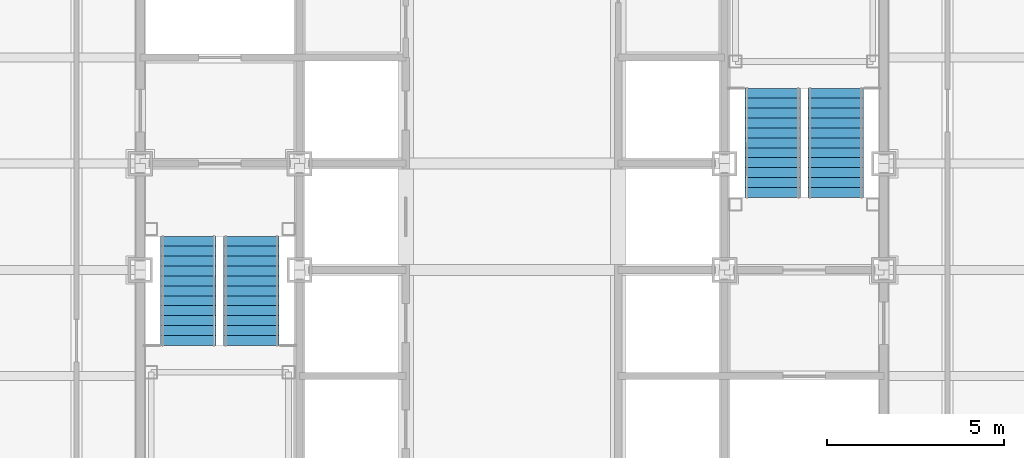
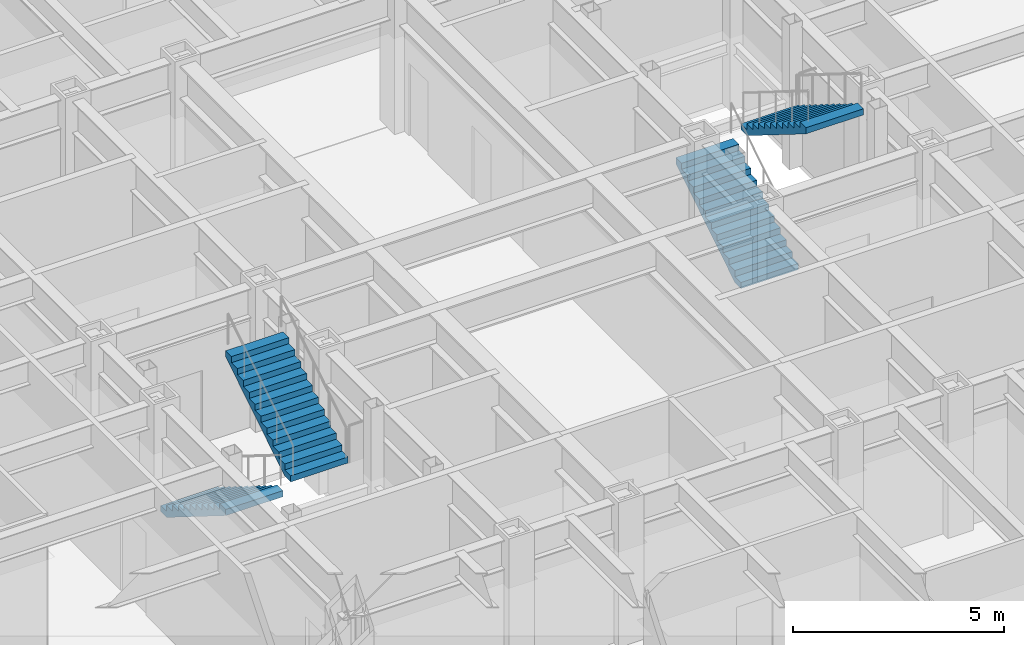
# One storey, part 13 of 16: 4 stair flights, 2 elements without a shape of their own.
"""IFC4 building model written with IfcOpenShell, lengths in metres."""

from ifc_helpers import new_model, si_unit, direction, frame, origin, place, context, subcontext, project, spatial, faceted_brep, material, type_object, element, aggregate, save


model = new_model("IFC4")

# Units and contexts
model_context = context("Model", 3, precision=1e-05, world=origin(), true_north=direction((0.0, 1.0)))
body_context = subcontext(model_context, "Body", "Model", "MODEL_VIEW")
ifc_project = project(units=[si_unit("LENGTHUNIT", "METRE"), si_unit("AREAUNIT", "SQUARE_METRE"), si_unit("VOLUMEUNIT", "CUBIC_METRE"), si_unit("PLANEANGLEUNIT", "RADIAN"), si_unit("MASSUNIT", "GRAM", prefix="KILO")], contexts=[model_context])

# Site, building, storey
site_placement = place(None, origin())
site = spatial("IfcSite", under=ifc_project, at=site_placement, CompositionType="ELEMENT")
building_placement = place(site_placement, origin())
building = spatial("IfcBuilding", under=site, at=building_placement, Name="Chuquiago Exchange Tower", CompositionType="ELEMENT")
storey_placement = place(building_placement, frame((0.0, 0.0, 127.800048828125)))
storey = spatial("IfcBuildingStorey", under=building, at=storey_placement, Name="L27", CompositionType="ELEMENT", Elevation=127.800048828125)

# Stair, stair flights
ifc_material_1 = material(Name="Concrete C30/37, precast", Category="concrete")
stair_type_1 = type_object("IfcStairType", Name="ST1 half-turn stair 4200", PredefinedType="HALF_TURN_STAIR", material=ifc_material_1)
stair_1_placement = place(storey_placement, origin())
stair_1 = element("IfcStair", 1, at=stair_1_placement, inside=storey, type_object=stair_type_1, Name="Stair ST1 L27", PredefinedType="HALF_TURN_STAIR")
ifc_material_2 = material(Name="Concrete C30/37, precast", Category="concrete")
stair_flight_type = type_object("IfcStairFlightType", Name="ST-F flight 1570 for 4200 storey", PredefinedType="STRAIGHT", material=ifc_material_2)
stair_flight_1_placement = place(storey_placement, frame((13.360107421875, 21.949951171875, 0.0), z_axis=(0.0, 0.0, 1.0), x_axis=(0.0, -1.0, 0.0)))
stair_flight_1 = element("IfcStairFlight", 2, at=stair_flight_1_placement, type_object=stair_flight_type, Name="ST1 flight 1", NumberOfRisers=12, NumberOfTreads=11, PredefinedType="STRAIGHT", RiserHeight=0.175, TreadLength=0.28, context=body_context, shape_type="Brep", body=[
    faceted_brep([(0.0, 0.78515625, 0.0), (0.0, 0.78515625, 0.175048828125), (0.280029296875, 0.78515625, 0.175048828125), (0.280029296875, 0.78515625, 0.35009765625), (0.56005859375, 0.78515625, 0.35009765625), (0.56005859375, 0.78515625, 0.52490234375), (0.840087890625, 0.78515625, 0.52490234375), (0.840087890625, 0.78515625, 0.699951171875), (1.1201171875, 0.78515625, 0.699951171875), (1.1201171875, 0.78515625, 0.875), (1.39990234375, 0.78515625, 0.875), (1.39990234375, 0.78515625, 1.050048828125), (1.679931640625, 0.78515625, 1.050048828125), (1.679931640625, 0.78515625, 1.22509765625), (1.9599609375, 0.78515625, 1.22509765625), (1.9599609375, 0.78515625, 1.39990234375), (2.239990234375, 0.78515625, 1.39990234375), (2.239990234375, 0.78515625, 1.574951171875), (2.52001953125, 0.78515625, 1.574951171875), (2.52001953125, 0.78515625, 1.75), (2.800048828125, 0.78515625, 1.75), (2.800048828125, 0.78515625, 1.925048828125), (3.080078125, 0.78515625, 1.925048828125), (3.080078125, 0.78515625, 1.748291015625), (0.28271484375, 0.78515625, 0.0), (0.28271484375, -0.78515625, 0.0), (3.080078125, -0.78515625, 1.748291015625), (3.080078125, -0.78515625, 1.925048828125), (2.800048828125, -0.78515625, 1.925048828125), (2.800048828125, -0.78515625, 1.75), (2.52001953125, -0.78515625, 1.75), (2.52001953125, -0.78515625, 1.574951171875), (2.239990234375, -0.78515625, 1.574951171875), (2.239990234375, -0.78515625, 1.39990234375), (1.9599609375, -0.78515625, 1.39990234375), (1.9599609375, -0.78515625, 1.22509765625), (1.679931640625, -0.78515625, 1.22509765625), (1.679931640625, -0.78515625, 1.050048828125), (1.39990234375, -0.78515625, 1.050048828125), (1.39990234375, -0.78515625, 0.875), (1.1201171875, -0.78515625, 0.875), (1.1201171875, -0.78515625, 0.699951171875), (0.840087890625, -0.78515625, 0.699951171875), (0.840087890625, -0.78515625, 0.52490234375), (0.56005859375, -0.78515625, 0.52490234375), (0.56005859375, -0.78515625, 0.35009765625), (0.280029296875, -0.78515625, 0.35009765625), (0.280029296875, -0.78515625, 0.175048828125), (0.0, -0.78515625, 0.175048828125), (0.0, -0.78515625, 0.0), (0.0, 0.392578125, 0.0), (0.0, 0.392578125, 0.175048828125), (0.0, 0.0, 0.0), (0.0, 0.0, 0.175048828125), (0.0, -0.392578125, 0.0), (0.0, -0.392578125, 0.175048828125), (0.280029296875, 0.392578125, 0.175048828125), (0.280029296875, 0.0, 0.175048828125), (0.280029296875, -0.392578125, 0.175048828125), (0.280029296875, 0.392578125, 0.35009765625), (0.280029296875, 0.0, 0.35009765625), (0.280029296875, -0.392578125, 0.35009765625), (0.56005859375, 0.392578125, 0.35009765625), (0.56005859375, 0.0, 0.35009765625), (0.56005859375, -0.392578125, 0.35009765625), (0.56005859375, 0.392578125, 0.52490234375), (0.56005859375, 0.0, 0.52490234375), (0.56005859375, -0.392578125, 0.52490234375), (0.840087890625, 0.392578125, 0.52490234375), (0.840087890625, 0.0, 0.52490234375), (0.840087890625, -0.392578125, 0.52490234375), (0.840087890625, 0.392578125, 0.699951171875), (0.840087890625, 0.0, 0.699951171875), (0.840087890625, -0.392578125, 0.699951171875), (1.1201171875, 0.392578125, 0.699951171875), (1.1201171875, 0.0, 0.699951171875), (1.1201171875, -0.392578125, 0.699951171875), (1.1201171875, 0.392578125, 0.875), (1.1201171875, 0.0, 0.875), (1.1201171875, -0.392578125, 0.875), (1.39990234375, 0.392578125, 0.875), (1.39990234375, 0.0, 0.875), (1.39990234375, -0.392578125, 0.875), (1.39990234375, 0.392578125, 1.050048828125), (1.39990234375, 0.0, 1.050048828125), (1.39990234375, -0.392578125, 1.050048828125), (1.679931640625, 0.392578125, 1.050048828125), (1.679931640625, 0.0, 1.050048828125), (1.679931640625, -0.392578125, 1.050048828125), (1.679931640625, 0.392578125, 1.22509765625), (1.679931640625, 0.0, 1.22509765625), (1.679931640625, -0.392578125, 1.22509765625), (1.9599609375, 0.392578125, 1.22509765625), (1.9599609375, 0.0, 1.22509765625), (1.9599609375, -0.392578125, 1.22509765625), (1.9599609375, 0.392578125, 1.39990234375), (1.9599609375, 0.0, 1.39990234375), (1.9599609375, -0.392578125, 1.39990234375), (2.239990234375, 0.392578125, 1.39990234375), (2.239990234375, 0.0, 1.39990234375), (2.239990234375, -0.392578125, 1.39990234375), (2.239990234375, 0.392578125, 1.574951171875), (2.239990234375, 0.0, 1.574951171875), (2.239990234375, -0.392578125, 1.574951171875), (2.52001953125, 0.392578125, 1.574951171875), (2.52001953125, 0.0, 1.574951171875), (2.52001953125, -0.392578125, 1.574951171875), (2.52001953125, 0.392578125, 1.75), (2.52001953125, 0.0, 1.75), (2.52001953125, -0.392578125, 1.75), (2.800048828125, 0.392578125, 1.75), (2.800048828125, 0.0, 1.75), (2.800048828125, -0.392578125, 1.75), (2.800048828125, 0.392578125, 1.925048828125), (2.800048828125, 0.0, 1.925048828125), (2.800048828125, -0.392578125, 1.925048828125), (3.080078125, 0.392578125, 1.925048828125), (3.080078125, 0.0, 1.925048828125), (3.080078125, -0.392578125, 1.925048828125), (3.080078125, 0.392578125, 1.748291015625), (3.080078125, 0.0, 1.748291015625), (3.080078125, -0.392578125, 1.748291015625), (0.28271484375, 0.392578125, 0.0), (0.28271484375, 0.0, 0.0), (0.28271484375, -0.392578125, 0.0)], [[[0, 1, 2, 3, 4, 5, 6, 7, 8, 9, 10, 11, 12, 13, 14, 15, 16, 17, 18, 19, 20, 21, 22, 23, 24]], [[25, 26, 27, 28, 29, 30, 31, 32, 33, 34, 35, 36, 37, 38, 39, 40, 41, 42, 43, 44, 45, 46, 47, 48, 49]], [[1, 0, 50, 51]], [[51, 50, 52, 53]], [[53, 52, 54, 55]], [[55, 54, 49, 48]], [[2, 1, 51, 56]], [[56, 51, 53, 57]], [[57, 53, 55, 58]], [[58, 55, 48, 47]], [[3, 2, 56, 59]], [[59, 56, 57, 60]], [[60, 57, 58, 61]], [[61, 58, 47, 46]], [[4, 3, 59, 62]], [[62, 59, 60, 63]], [[63, 60, 61, 64]], [[64, 61, 46, 45]], [[5, 4, 62, 65]], [[65, 62, 63, 66]], [[66, 63, 64, 67]], [[67, 64, 45, 44]], [[6, 5, 65, 68]], [[68, 65, 66, 69]], [[69, 66, 67, 70]], [[70, 67, 44, 43]], [[7, 6, 68, 71]], [[71, 68, 69, 72]], [[72, 69, 70, 73]], [[73, 70, 43, 42]], [[8, 7, 71, 74]], [[74, 71, 72, 75]], [[75, 72, 73, 76]], [[76, 73, 42, 41]], [[9, 8, 74, 77]], [[77, 74, 75, 78]], [[78, 75, 76, 79]], [[79, 76, 41, 40]], [[10, 9, 77, 80]], [[80, 77, 78, 81]], [[81, 78, 79, 82]], [[82, 79, 40, 39]], [[11, 10, 80, 83]], [[83, 80, 81, 84]], [[84, 81, 82, 85]], [[85, 82, 39, 38]], [[12, 11, 83, 86]], [[86, 83, 84, 87]], [[87, 84, 85, 88]], [[88, 85, 38, 37]], [[13, 12, 86, 89]], [[89, 86, 87, 90]], [[90, 87, 88, 91]], [[91, 88, 37, 36]], [[14, 13, 89, 92]], [[92, 89, 90, 93]], [[93, 90, 91, 94]], [[94, 91, 36, 35]], [[15, 14, 92, 95]], [[95, 92, 93, 96]], [[96, 93, 94, 97]], [[97, 94, 35, 34]], [[16, 15, 95, 98]], [[98, 95, 96, 99]], [[99, 96, 97, 100]], [[100, 97, 34, 33]], [[17, 16, 98, 101]], [[101, 98, 99, 102]], [[102, 99, 100, 103]], [[103, 100, 33, 32]], [[18, 17, 101, 104]], [[104, 101, 102, 105]], [[105, 102, 103, 106]], [[106, 103, 32, 31]], [[19, 18, 104, 107]], [[107, 104, 105, 108]], [[108, 105, 106, 109]], [[109, 106, 31, 30]], [[20, 19, 107, 110]], [[110, 107, 108, 111]], [[111, 108, 109, 112]], [[112, 109, 30, 29]], [[21, 20, 110, 113]], [[113, 110, 111, 114]], [[114, 111, 112, 115]], [[115, 112, 29, 28]], [[22, 21, 113, 116]], [[116, 113, 114, 117]], [[117, 114, 115, 118]], [[118, 115, 28, 27]], [[23, 22, 116, 119]], [[119, 116, 117, 120]], [[120, 117, 118, 121]], [[121, 118, 27, 26]], [[24, 23, 119, 122]], [[122, 119, 120, 123]], [[123, 120, 121, 124]], [[124, 121, 26, 25]], [[0, 24, 122, 50]], [[50, 122, 123, 52]], [[52, 123, 124, 54]], [[54, 124, 25, 49]]]),
])
stair_flight_2_placement = place(storey_placement, frame((15.139892578125, 18.8701171875, 2.099853515625), z_axis=(0.0, 0.0, 1.0), x_axis=(0.0, 1.0, 0.0)))
stair_flight_2 = element("IfcStairFlight", 3, at=stair_flight_2_placement, type_object=stair_flight_type, Name="ST1 flight 2", NumberOfRisers=12, NumberOfTreads=11, PredefinedType="STRAIGHT", RiserHeight=0.175, TreadLength=0.28, context=body_context, shape_type="Brep", body=[
    faceted_brep([(0.0, 0.78515625, 0.0), (0.0, 0.78515625, 0.175048828125), (0.280029296875, 0.78515625, 0.175048828125), (0.280029296875, 0.78515625, 0.35009765625), (0.56005859375, 0.78515625, 0.35009765625), (0.56005859375, 0.78515625, 0.52490234375), (0.840087890625, 0.78515625, 0.52490234375), (0.840087890625, 0.78515625, 0.699951171875), (1.1201171875, 0.78515625, 0.699951171875), (1.1201171875, 0.78515625, 0.875), (1.39990234375, 0.78515625, 0.875), (1.39990234375, 0.78515625, 1.050048828125), (1.679931640625, 0.78515625, 1.050048828125), (1.679931640625, 0.78515625, 1.22509765625), (1.9599609375, 0.78515625, 1.22509765625), (1.9599609375, 0.78515625, 1.39990234375), (2.239990234375, 0.78515625, 1.39990234375), (2.239990234375, 0.78515625, 1.574951171875), (2.52001953125, 0.78515625, 1.574951171875), (2.52001953125, 0.78515625, 1.75), (2.800048828125, 0.78515625, 1.75), (2.800048828125, 0.78515625, 1.925048828125), (3.080078125, 0.78515625, 1.925048828125), (3.080078125, 0.78515625, 1.748291015625), (0.28271484375, 0.78515625, 0.0), (0.28271484375, -0.78515625, 0.0), (3.080078125, -0.78515625, 1.748291015625), (3.080078125, -0.78515625, 1.925048828125), (2.800048828125, -0.78515625, 1.925048828125), (2.800048828125, -0.78515625, 1.75), (2.52001953125, -0.78515625, 1.75), (2.52001953125, -0.78515625, 1.574951171875), (2.239990234375, -0.78515625, 1.574951171875), (2.239990234375, -0.78515625, 1.39990234375), (1.9599609375, -0.78515625, 1.39990234375), (1.9599609375, -0.78515625, 1.22509765625), (1.679931640625, -0.78515625, 1.22509765625), (1.679931640625, -0.78515625, 1.050048828125), (1.39990234375, -0.78515625, 1.050048828125), (1.39990234375, -0.78515625, 0.875), (1.1201171875, -0.78515625, 0.875), (1.1201171875, -0.78515625, 0.699951171875), (0.840087890625, -0.78515625, 0.699951171875), (0.840087890625, -0.78515625, 0.52490234375), (0.56005859375, -0.78515625, 0.52490234375), (0.56005859375, -0.78515625, 0.35009765625), (0.280029296875, -0.78515625, 0.35009765625), (0.280029296875, -0.78515625, 0.175048828125), (0.0, -0.78515625, 0.175048828125), (0.0, -0.78515625, 0.0), (0.0, 0.392578125, 0.0), (0.0, 0.392578125, 0.175048828125), (0.0, 0.0, 0.0), (0.0, 0.0, 0.175048828125), (0.0, -0.392578125, 0.0), (0.0, -0.392578125, 0.175048828125), (0.280029296875, 0.392578125, 0.175048828125), (0.280029296875, 0.0, 0.175048828125), (0.280029296875, -0.392578125, 0.175048828125), (0.280029296875, 0.392578125, 0.35009765625), (0.280029296875, 0.0, 0.35009765625), (0.280029296875, -0.392578125, 0.35009765625), (0.56005859375, 0.392578125, 0.35009765625), (0.56005859375, 0.0, 0.35009765625), (0.56005859375, -0.392578125, 0.35009765625), (0.56005859375, 0.392578125, 0.52490234375), (0.56005859375, 0.0, 0.52490234375), (0.56005859375, -0.392578125, 0.52490234375), (0.840087890625, 0.392578125, 0.52490234375), (0.840087890625, 0.0, 0.52490234375), (0.840087890625, -0.392578125, 0.52490234375), (0.840087890625, 0.392578125, 0.699951171875), (0.840087890625, 0.0, 0.699951171875), (0.840087890625, -0.392578125, 0.699951171875), (1.1201171875, 0.392578125, 0.699951171875), (1.1201171875, 0.0, 0.699951171875), (1.1201171875, -0.392578125, 0.699951171875), (1.1201171875, 0.392578125, 0.875), (1.1201171875, 0.0, 0.875), (1.1201171875, -0.392578125, 0.875), (1.39990234375, 0.392578125, 0.875), (1.39990234375, 0.0, 0.875), (1.39990234375, -0.392578125, 0.875), (1.39990234375, 0.392578125, 1.050048828125), (1.39990234375, 0.0, 1.050048828125), (1.39990234375, -0.392578125, 1.050048828125), (1.679931640625, 0.392578125, 1.050048828125), (1.679931640625, 0.0, 1.050048828125), (1.679931640625, -0.392578125, 1.050048828125), (1.679931640625, 0.392578125, 1.22509765625), (1.679931640625, 0.0, 1.22509765625), (1.679931640625, -0.392578125, 1.22509765625), (1.9599609375, 0.392578125, 1.22509765625), (1.9599609375, 0.0, 1.22509765625), (1.9599609375, -0.392578125, 1.22509765625), (1.9599609375, 0.392578125, 1.39990234375), (1.9599609375, 0.0, 1.39990234375), (1.9599609375, -0.392578125, 1.39990234375), (2.239990234375, 0.392578125, 1.39990234375), (2.239990234375, 0.0, 1.39990234375), (2.239990234375, -0.392578125, 1.39990234375), (2.239990234375, 0.392578125, 1.574951171875), (2.239990234375, 0.0, 1.574951171875), (2.239990234375, -0.392578125, 1.574951171875), (2.52001953125, 0.392578125, 1.574951171875), (2.52001953125, 0.0, 1.574951171875), (2.52001953125, -0.392578125, 1.574951171875), (2.52001953125, 0.392578125, 1.75), (2.52001953125, 0.0, 1.75), (2.52001953125, -0.392578125, 1.75), (2.800048828125, 0.392578125, 1.75), (2.800048828125, 0.0, 1.75), (2.800048828125, -0.392578125, 1.75), (2.800048828125, 0.392578125, 1.925048828125), (2.800048828125, 0.0, 1.925048828125), (2.800048828125, -0.392578125, 1.925048828125), (3.080078125, 0.392578125, 1.925048828125), (3.080078125, 0.0, 1.925048828125), (3.080078125, -0.392578125, 1.925048828125), (3.080078125, 0.392578125, 1.748291015625), (3.080078125, 0.0, 1.748291015625), (3.080078125, -0.392578125, 1.748291015625), (0.28271484375, 0.392578125, 0.0), (0.28271484375, 0.0, 0.0), (0.28271484375, -0.392578125, 0.0)], [[[0, 1, 2, 3, 4, 5, 6, 7, 8, 9, 10, 11, 12, 13, 14, 15, 16, 17, 18, 19, 20, 21, 22, 23, 24]], [[25, 26, 27, 28, 29, 30, 31, 32, 33, 34, 35, 36, 37, 38, 39, 40, 41, 42, 43, 44, 45, 46, 47, 48, 49]], [[1, 0, 50, 51]], [[51, 50, 52, 53]], [[53, 52, 54, 55]], [[55, 54, 49, 48]], [[2, 1, 51, 56]], [[56, 51, 53, 57]], [[57, 53, 55, 58]], [[58, 55, 48, 47]], [[3, 2, 56, 59]], [[59, 56, 57, 60]], [[60, 57, 58, 61]], [[61, 58, 47, 46]], [[4, 3, 59, 62]], [[62, 59, 60, 63]], [[63, 60, 61, 64]], [[64, 61, 46, 45]], [[5, 4, 62, 65]], [[65, 62, 63, 66]], [[66, 63, 64, 67]], [[67, 64, 45, 44]], [[6, 5, 65, 68]], [[68, 65, 66, 69]], [[69, 66, 67, 70]], [[70, 67, 44, 43]], [[7, 6, 68, 71]], [[71, 68, 69, 72]], [[72, 69, 70, 73]], [[73, 70, 43, 42]], [[8, 7, 71, 74]], [[74, 71, 72, 75]], [[75, 72, 73, 76]], [[76, 73, 42, 41]], [[9, 8, 74, 77]], [[77, 74, 75, 78]], [[78, 75, 76, 79]], [[79, 76, 41, 40]], [[10, 9, 77, 80]], [[80, 77, 78, 81]], [[81, 78, 79, 82]], [[82, 79, 40, 39]], [[11, 10, 80, 83]], [[83, 80, 81, 84]], [[84, 81, 82, 85]], [[85, 82, 39, 38]], [[12, 11, 83, 86]], [[86, 83, 84, 87]], [[87, 84, 85, 88]], [[88, 85, 38, 37]], [[13, 12, 86, 89]], [[89, 86, 87, 90]], [[90, 87, 88, 91]], [[91, 88, 37, 36]], [[14, 13, 89, 92]], [[92, 89, 90, 93]], [[93, 90, 91, 94]], [[94, 91, 36, 35]], [[15, 14, 92, 95]], [[95, 92, 93, 96]], [[96, 93, 94, 97]], [[97, 94, 35, 34]], [[16, 15, 95, 98]], [[98, 95, 96, 99]], [[99, 96, 97, 100]], [[100, 97, 34, 33]], [[17, 16, 98, 101]], [[101, 98, 99, 102]], [[102, 99, 100, 103]], [[103, 100, 33, 32]], [[18, 17, 101, 104]], [[104, 101, 102, 105]], [[105, 102, 103, 106]], [[106, 103, 32, 31]], [[19, 18, 104, 107]], [[107, 104, 105, 108]], [[108, 105, 106, 109]], [[109, 106, 31, 30]], [[20, 19, 107, 110]], [[110, 107, 108, 111]], [[111, 108, 109, 112]], [[112, 109, 30, 29]], [[21, 20, 110, 113]], [[113, 110, 111, 114]], [[114, 111, 112, 115]], [[115, 112, 29, 28]], [[22, 21, 113, 116]], [[116, 113, 114, 117]], [[117, 114, 115, 118]], [[118, 115, 28, 27]], [[23, 22, 116, 119]], [[119, 116, 117, 120]], [[120, 117, 118, 121]], [[121, 118, 27, 26]], [[24, 23, 119, 122]], [[122, 119, 120, 123]], [[123, 120, 121, 124]], [[124, 121, 26, 25]], [[0, 24, 122, 50]], [[50, 122, 123, 52]], [[52, 123, 124, 54]], [[54, 124, 25, 49]]]),
])
aggregate(stair_1, [stair_flight_1, stair_flight_2])

ifc_material_3 = material(Name="Concrete C30/37, precast", Category="concrete")
stair_type_2 = type_object("IfcStairType", Name="ST2 half-turn stair 4200", PredefinedType="HALF_TURN_STAIR", material=ifc_material_3)
stair_2_placement = place(storey_placement, origin())
stair_2 = element("IfcStair", 4, at=stair_2_placement, inside=storey, type_object=stair_type_2, Name="Stair ST2 L27", PredefinedType="HALF_TURN_STAIR")
stair_flight_3_placement = place(storey_placement, frame((29.860107421875, 23.050048828125, 0.0), z_axis=(0.0, 0.0, 1.0), x_axis=(0.0, 1.0, 0.0)))
stair_flight_3 = element("IfcStairFlight", 5, at=stair_flight_3_placement, type_object=stair_flight_type, Name="ST2 flight 1", NumberOfRisers=12, NumberOfTreads=11, PredefinedType="STRAIGHT", RiserHeight=0.175, TreadLength=0.28, context=body_context, shape_type="Brep", body=[
    faceted_brep([(0.0, 0.78515625, 0.0), (0.0, 0.78515625, 0.175048828125), (0.280029296875, 0.78515625, 0.175048828125), (0.280029296875, 0.78515625, 0.35009765625), (0.56005859375, 0.78515625, 0.35009765625), (0.56005859375, 0.78515625, 0.52490234375), (0.840087890625, 0.78515625, 0.52490234375), (0.840087890625, 0.78515625, 0.699951171875), (1.1201171875, 0.78515625, 0.699951171875), (1.1201171875, 0.78515625, 0.875), (1.39990234375, 0.78515625, 0.875), (1.39990234375, 0.78515625, 1.050048828125), (1.679931640625, 0.78515625, 1.050048828125), (1.679931640625, 0.78515625, 1.22509765625), (1.9599609375, 0.78515625, 1.22509765625), (1.9599609375, 0.78515625, 1.39990234375), (2.239990234375, 0.78515625, 1.39990234375), (2.239990234375, 0.78515625, 1.574951171875), (2.52001953125, 0.78515625, 1.574951171875), (2.52001953125, 0.78515625, 1.75), (2.800048828125, 0.78515625, 1.75), (2.800048828125, 0.78515625, 1.925048828125), (3.080078125, 0.78515625, 1.925048828125), (3.080078125, 0.78515625, 1.748291015625), (0.28271484375, 0.78515625, 0.0), (0.28271484375, -0.78515625, 0.0), (3.080078125, -0.78515625, 1.748291015625), (3.080078125, -0.78515625, 1.925048828125), (2.800048828125, -0.78515625, 1.925048828125), (2.800048828125, -0.78515625, 1.75), (2.52001953125, -0.78515625, 1.75), (2.52001953125, -0.78515625, 1.574951171875), (2.239990234375, -0.78515625, 1.574951171875), (2.239990234375, -0.78515625, 1.39990234375), (1.9599609375, -0.78515625, 1.39990234375), (1.9599609375, -0.78515625, 1.22509765625), (1.679931640625, -0.78515625, 1.22509765625), (1.679931640625, -0.78515625, 1.050048828125), (1.39990234375, -0.78515625, 1.050048828125), (1.39990234375, -0.78515625, 0.875), (1.1201171875, -0.78515625, 0.875), (1.1201171875, -0.78515625, 0.699951171875), (0.840087890625, -0.78515625, 0.699951171875), (0.840087890625, -0.78515625, 0.52490234375), (0.56005859375, -0.78515625, 0.52490234375), (0.56005859375, -0.78515625, 0.35009765625), (0.280029296875, -0.78515625, 0.35009765625), (0.280029296875, -0.78515625, 0.175048828125), (0.0, -0.78515625, 0.175048828125), (0.0, -0.78515625, 0.0), (0.0, 0.392578125, 0.0), (0.0, 0.392578125, 0.175048828125), (0.0, 0.0, 0.0), (0.0, 0.0, 0.175048828125), (0.0, -0.392578125, 0.0), (0.0, -0.392578125, 0.175048828125), (0.280029296875, 0.392578125, 0.175048828125), (0.280029296875, 0.0, 0.175048828125), (0.280029296875, -0.392578125, 0.175048828125), (0.280029296875, 0.392578125, 0.35009765625), (0.280029296875, 0.0, 0.35009765625), (0.280029296875, -0.392578125, 0.35009765625), (0.56005859375, 0.392578125, 0.35009765625), (0.56005859375, 0.0, 0.35009765625), (0.56005859375, -0.392578125, 0.35009765625), (0.56005859375, 0.392578125, 0.52490234375), (0.56005859375, 0.0, 0.52490234375), (0.56005859375, -0.392578125, 0.52490234375), (0.840087890625, 0.392578125, 0.52490234375), (0.840087890625, 0.0, 0.52490234375), (0.840087890625, -0.392578125, 0.52490234375), (0.840087890625, 0.392578125, 0.699951171875), (0.840087890625, 0.0, 0.699951171875), (0.840087890625, -0.392578125, 0.699951171875), (1.1201171875, 0.392578125, 0.699951171875), (1.1201171875, 0.0, 0.699951171875), (1.1201171875, -0.392578125, 0.699951171875), (1.1201171875, 0.392578125, 0.875), (1.1201171875, 0.0, 0.875), (1.1201171875, -0.392578125, 0.875), (1.39990234375, 0.392578125, 0.875), (1.39990234375, 0.0, 0.875), (1.39990234375, -0.392578125, 0.875), (1.39990234375, 0.392578125, 1.050048828125), (1.39990234375, 0.0, 1.050048828125), (1.39990234375, -0.392578125, 1.050048828125), (1.679931640625, 0.392578125, 1.050048828125), (1.679931640625, 0.0, 1.050048828125), (1.679931640625, -0.392578125, 1.050048828125), (1.679931640625, 0.392578125, 1.22509765625), (1.679931640625, 0.0, 1.22509765625), (1.679931640625, -0.392578125, 1.22509765625), (1.9599609375, 0.392578125, 1.22509765625), (1.9599609375, 0.0, 1.22509765625), (1.9599609375, -0.392578125, 1.22509765625), (1.9599609375, 0.392578125, 1.39990234375), (1.9599609375, 0.0, 1.39990234375), (1.9599609375, -0.392578125, 1.39990234375), (2.239990234375, 0.392578125, 1.39990234375), (2.239990234375, 0.0, 1.39990234375), (2.239990234375, -0.392578125, 1.39990234375), (2.239990234375, 0.392578125, 1.574951171875), (2.239990234375, 0.0, 1.574951171875), (2.239990234375, -0.392578125, 1.574951171875), (2.52001953125, 0.392578125, 1.574951171875), (2.52001953125, 0.0, 1.574951171875), (2.52001953125, -0.392578125, 1.574951171875), (2.52001953125, 0.392578125, 1.75), (2.52001953125, 0.0, 1.75), (2.52001953125, -0.392578125, 1.75), (2.800048828125, 0.392578125, 1.75), (2.800048828125, 0.0, 1.75), (2.800048828125, -0.392578125, 1.75), (2.800048828125, 0.392578125, 1.925048828125), (2.800048828125, 0.0, 1.925048828125), (2.800048828125, -0.392578125, 1.925048828125), (3.080078125, 0.392578125, 1.925048828125), (3.080078125, 0.0, 1.925048828125), (3.080078125, -0.392578125, 1.925048828125), (3.080078125, 0.392578125, 1.748291015625), (3.080078125, 0.0, 1.748291015625), (3.080078125, -0.392578125, 1.748291015625), (0.28271484375, 0.392578125, 0.0), (0.28271484375, 0.0, 0.0), (0.28271484375, -0.392578125, 0.0)], [[[0, 1, 2, 3, 4, 5, 6, 7, 8, 9, 10, 11, 12, 13, 14, 15, 16, 17, 18, 19, 20, 21, 22, 23, 24]], [[25, 26, 27, 28, 29, 30, 31, 32, 33, 34, 35, 36, 37, 38, 39, 40, 41, 42, 43, 44, 45, 46, 47, 48, 49]], [[1, 0, 50, 51]], [[51, 50, 52, 53]], [[53, 52, 54, 55]], [[55, 54, 49, 48]], [[2, 1, 51, 56]], [[56, 51, 53, 57]], [[57, 53, 55, 58]], [[58, 55, 48, 47]], [[3, 2, 56, 59]], [[59, 56, 57, 60]], [[60, 57, 58, 61]], [[61, 58, 47, 46]], [[4, 3, 59, 62]], [[62, 59, 60, 63]], [[63, 60, 61, 64]], [[64, 61, 46, 45]], [[5, 4, 62, 65]], [[65, 62, 63, 66]], [[66, 63, 64, 67]], [[67, 64, 45, 44]], [[6, 5, 65, 68]], [[68, 65, 66, 69]], [[69, 66, 67, 70]], [[70, 67, 44, 43]], [[7, 6, 68, 71]], [[71, 68, 69, 72]], [[72, 69, 70, 73]], [[73, 70, 43, 42]], [[8, 7, 71, 74]], [[74, 71, 72, 75]], [[75, 72, 73, 76]], [[76, 73, 42, 41]], [[9, 8, 74, 77]], [[77, 74, 75, 78]], [[78, 75, 76, 79]], [[79, 76, 41, 40]], [[10, 9, 77, 80]], [[80, 77, 78, 81]], [[81, 78, 79, 82]], [[82, 79, 40, 39]], [[11, 10, 80, 83]], [[83, 80, 81, 84]], [[84, 81, 82, 85]], [[85, 82, 39, 38]], [[12, 11, 83, 86]], [[86, 83, 84, 87]], [[87, 84, 85, 88]], [[88, 85, 38, 37]], [[13, 12, 86, 89]], [[89, 86, 87, 90]], [[90, 87, 88, 91]], [[91, 88, 37, 36]], [[14, 13, 89, 92]], [[92, 89, 90, 93]], [[93, 90, 91, 94]], [[94, 91, 36, 35]], [[15, 14, 92, 95]], [[95, 92, 93, 96]], [[96, 93, 94, 97]], [[97, 94, 35, 34]], [[16, 15, 95, 98]], [[98, 95, 96, 99]], [[99, 96, 97, 100]], [[100, 97, 34, 33]], [[17, 16, 98, 101]], [[101, 98, 99, 102]], [[102, 99, 100, 103]], [[103, 100, 33, 32]], [[18, 17, 101, 104]], [[104, 101, 102, 105]], [[105, 102, 103, 106]], [[106, 103, 32, 31]], [[19, 18, 104, 107]], [[107, 104, 105, 108]], [[108, 105, 106, 109]], [[109, 106, 31, 30]], [[20, 19, 107, 110]], [[110, 107, 108, 111]], [[111, 108, 109, 112]], [[112, 109, 30, 29]], [[21, 20, 110, 113]], [[113, 110, 111, 114]], [[114, 111, 112, 115]], [[115, 112, 29, 28]], [[22, 21, 113, 116]], [[116, 113, 114, 117]], [[117, 114, 115, 118]], [[118, 115, 28, 27]], [[23, 22, 116, 119]], [[119, 116, 117, 120]], [[120, 117, 118, 121]], [[121, 118, 27, 26]], [[24, 23, 119, 122]], [[122, 119, 120, 123]], [[123, 120, 121, 124]], [[124, 121, 26, 25]], [[0, 24, 122, 50]], [[50, 122, 123, 52]], [[52, 123, 124, 54]], [[54, 124, 25, 49]]]),
])
stair_flight_4_placement = place(storey_placement, frame((31.639892578125, 26.1298828125, 2.099853515625), z_axis=(0.0, 0.0, 1.0), x_axis=(0.0, -1.0, 0.0)))
stair_flight_4 = element("IfcStairFlight", 6, at=stair_flight_4_placement, type_object=stair_flight_type, Name="ST2 flight 2", NumberOfRisers=12, NumberOfTreads=11, PredefinedType="STRAIGHT", RiserHeight=0.175, TreadLength=0.28, context=body_context, shape_type="Brep", body=[
    faceted_brep([(0.0, 0.78515625, 0.0), (0.0, 0.78515625, 0.175048828125), (0.280029296875, 0.78515625, 0.175048828125), (0.280029296875, 0.78515625, 0.35009765625), (0.56005859375, 0.78515625, 0.35009765625), (0.56005859375, 0.78515625, 0.52490234375), (0.840087890625, 0.78515625, 0.52490234375), (0.840087890625, 0.78515625, 0.699951171875), (1.1201171875, 0.78515625, 0.699951171875), (1.1201171875, 0.78515625, 0.875), (1.39990234375, 0.78515625, 0.875), (1.39990234375, 0.78515625, 1.050048828125), (1.679931640625, 0.78515625, 1.050048828125), (1.679931640625, 0.78515625, 1.22509765625), (1.9599609375, 0.78515625, 1.22509765625), (1.9599609375, 0.78515625, 1.39990234375), (2.239990234375, 0.78515625, 1.39990234375), (2.239990234375, 0.78515625, 1.574951171875), (2.52001953125, 0.78515625, 1.574951171875), (2.52001953125, 0.78515625, 1.75), (2.800048828125, 0.78515625, 1.75), (2.800048828125, 0.78515625, 1.925048828125), (3.080078125, 0.78515625, 1.925048828125), (3.080078125, 0.78515625, 1.748291015625), (0.28271484375, 0.78515625, 0.0), (0.28271484375, -0.78515625, 0.0), (3.080078125, -0.78515625, 1.748291015625), (3.080078125, -0.78515625, 1.925048828125), (2.800048828125, -0.78515625, 1.925048828125), (2.800048828125, -0.78515625, 1.75), (2.52001953125, -0.78515625, 1.75), (2.52001953125, -0.78515625, 1.574951171875), (2.239990234375, -0.78515625, 1.574951171875), (2.239990234375, -0.78515625, 1.39990234375), (1.9599609375, -0.78515625, 1.39990234375), (1.9599609375, -0.78515625, 1.22509765625), (1.679931640625, -0.78515625, 1.22509765625), (1.679931640625, -0.78515625, 1.050048828125), (1.39990234375, -0.78515625, 1.050048828125), (1.39990234375, -0.78515625, 0.875), (1.1201171875, -0.78515625, 0.875), (1.1201171875, -0.78515625, 0.699951171875), (0.840087890625, -0.78515625, 0.699951171875), (0.840087890625, -0.78515625, 0.52490234375), (0.56005859375, -0.78515625, 0.52490234375), (0.56005859375, -0.78515625, 0.35009765625), (0.280029296875, -0.78515625, 0.35009765625), (0.280029296875, -0.78515625, 0.175048828125), (0.0, -0.78515625, 0.175048828125), (0.0, -0.78515625, 0.0), (0.0, 0.392578125, 0.0), (0.0, 0.392578125, 0.175048828125), (0.0, 0.0, 0.0), (0.0, 0.0, 0.175048828125), (0.0, -0.392578125, 0.0), (0.0, -0.392578125, 0.175048828125), (0.280029296875, 0.392578125, 0.175048828125), (0.280029296875, 0.0, 0.175048828125), (0.280029296875, -0.392578125, 0.175048828125), (0.280029296875, 0.392578125, 0.35009765625), (0.280029296875, 0.0, 0.35009765625), (0.280029296875, -0.392578125, 0.35009765625), (0.56005859375, 0.392578125, 0.35009765625), (0.56005859375, 0.0, 0.35009765625), (0.56005859375, -0.392578125, 0.35009765625), (0.56005859375, 0.392578125, 0.52490234375), (0.56005859375, 0.0, 0.52490234375), (0.56005859375, -0.392578125, 0.52490234375), (0.840087890625, 0.392578125, 0.52490234375), (0.840087890625, 0.0, 0.52490234375), (0.840087890625, -0.392578125, 0.52490234375), (0.840087890625, 0.392578125, 0.699951171875), (0.840087890625, 0.0, 0.699951171875), (0.840087890625, -0.392578125, 0.699951171875), (1.1201171875, 0.392578125, 0.699951171875), (1.1201171875, 0.0, 0.699951171875), (1.1201171875, -0.392578125, 0.699951171875), (1.1201171875, 0.392578125, 0.875), (1.1201171875, 0.0, 0.875), (1.1201171875, -0.392578125, 0.875), (1.39990234375, 0.392578125, 0.875), (1.39990234375, 0.0, 0.875), (1.39990234375, -0.392578125, 0.875), (1.39990234375, 0.392578125, 1.050048828125), (1.39990234375, 0.0, 1.050048828125), (1.39990234375, -0.392578125, 1.050048828125), (1.679931640625, 0.392578125, 1.050048828125), (1.679931640625, 0.0, 1.050048828125), (1.679931640625, -0.392578125, 1.050048828125), (1.679931640625, 0.392578125, 1.22509765625), (1.679931640625, 0.0, 1.22509765625), (1.679931640625, -0.392578125, 1.22509765625), (1.9599609375, 0.392578125, 1.22509765625), (1.9599609375, 0.0, 1.22509765625), (1.9599609375, -0.392578125, 1.22509765625), (1.9599609375, 0.392578125, 1.39990234375), (1.9599609375, 0.0, 1.39990234375), (1.9599609375, -0.392578125, 1.39990234375), (2.239990234375, 0.392578125, 1.39990234375), (2.239990234375, 0.0, 1.39990234375), (2.239990234375, -0.392578125, 1.39990234375), (2.239990234375, 0.392578125, 1.574951171875), (2.239990234375, 0.0, 1.574951171875), (2.239990234375, -0.392578125, 1.574951171875), (2.52001953125, 0.392578125, 1.574951171875), (2.52001953125, 0.0, 1.574951171875), (2.52001953125, -0.392578125, 1.574951171875), (2.52001953125, 0.392578125, 1.75), (2.52001953125, 0.0, 1.75), (2.52001953125, -0.392578125, 1.75), (2.800048828125, 0.392578125, 1.75), (2.800048828125, 0.0, 1.75), (2.800048828125, -0.392578125, 1.75), (2.800048828125, 0.392578125, 1.925048828125), (2.800048828125, 0.0, 1.925048828125), (2.800048828125, -0.392578125, 1.925048828125), (3.080078125, 0.392578125, 1.925048828125), (3.080078125, 0.0, 1.925048828125), (3.080078125, -0.392578125, 1.925048828125), (3.080078125, 0.392578125, 1.748291015625), (3.080078125, 0.0, 1.748291015625), (3.080078125, -0.392578125, 1.748291015625), (0.28271484375, 0.392578125, 0.0), (0.28271484375, 0.0, 0.0), (0.28271484375, -0.392578125, 0.0)], [[[0, 1, 2, 3, 4, 5, 6, 7, 8, 9, 10, 11, 12, 13, 14, 15, 16, 17, 18, 19, 20, 21, 22, 23, 24]], [[25, 26, 27, 28, 29, 30, 31, 32, 33, 34, 35, 36, 37, 38, 39, 40, 41, 42, 43, 44, 45, 46, 47, 48, 49]], [[1, 0, 50, 51]], [[51, 50, 52, 53]], [[53, 52, 54, 55]], [[55, 54, 49, 48]], [[2, 1, 51, 56]], [[56, 51, 53, 57]], [[57, 53, 55, 58]], [[58, 55, 48, 47]], [[3, 2, 56, 59]], [[59, 56, 57, 60]], [[60, 57, 58, 61]], [[61, 58, 47, 46]], [[4, 3, 59, 62]], [[62, 59, 60, 63]], [[63, 60, 61, 64]], [[64, 61, 46, 45]], [[5, 4, 62, 65]], [[65, 62, 63, 66]], [[66, 63, 64, 67]], [[67, 64, 45, 44]], [[6, 5, 65, 68]], [[68, 65, 66, 69]], [[69, 66, 67, 70]], [[70, 67, 44, 43]], [[7, 6, 68, 71]], [[71, 68, 69, 72]], [[72, 69, 70, 73]], [[73, 70, 43, 42]], [[8, 7, 71, 74]], [[74, 71, 72, 75]], [[75, 72, 73, 76]], [[76, 73, 42, 41]], [[9, 8, 74, 77]], [[77, 74, 75, 78]], [[78, 75, 76, 79]], [[79, 76, 41, 40]], [[10, 9, 77, 80]], [[80, 77, 78, 81]], [[81, 78, 79, 82]], [[82, 79, 40, 39]], [[11, 10, 80, 83]], [[83, 80, 81, 84]], [[84, 81, 82, 85]], [[85, 82, 39, 38]], [[12, 11, 83, 86]], [[86, 83, 84, 87]], [[87, 84, 85, 88]], [[88, 85, 38, 37]], [[13, 12, 86, 89]], [[89, 86, 87, 90]], [[90, 87, 88, 91]], [[91, 88, 37, 36]], [[14, 13, 89, 92]], [[92, 89, 90, 93]], [[93, 90, 91, 94]], [[94, 91, 36, 35]], [[15, 14, 92, 95]], [[95, 92, 93, 96]], [[96, 93, 94, 97]], [[97, 94, 35, 34]], [[16, 15, 95, 98]], [[98, 95, 96, 99]], [[99, 96, 97, 100]], [[100, 97, 34, 33]], [[17, 16, 98, 101]], [[101, 98, 99, 102]], [[102, 99, 100, 103]], [[103, 100, 33, 32]], [[18, 17, 101, 104]], [[104, 101, 102, 105]], [[105, 102, 103, 106]], [[106, 103, 32, 31]], [[19, 18, 104, 107]], [[107, 104, 105, 108]], [[108, 105, 106, 109]], [[109, 106, 31, 30]], [[20, 19, 107, 110]], [[110, 107, 108, 111]], [[111, 108, 109, 112]], [[112, 109, 30, 29]], [[21, 20, 110, 113]], [[113, 110, 111, 114]], [[114, 111, 112, 115]], [[115, 112, 29, 28]], [[22, 21, 113, 116]], [[116, 113, 114, 117]], [[117, 114, 115, 118]], [[118, 115, 28, 27]], [[23, 22, 116, 119]], [[119, 116, 117, 120]], [[120, 117, 118, 121]], [[121, 118, 27, 26]], [[24, 23, 119, 122]], [[122, 119, 120, 123]], [[123, 120, 121, 124]], [[124, 121, 26, 25]], [[0, 24, 122, 50]], [[50, 122, 123, 52]], [[52, 123, 124, 54]], [[54, 124, 25, 49]]]),
])
aggregate(stair_2, [stair_flight_3, stair_flight_4])

save(model, "model.ifc")
